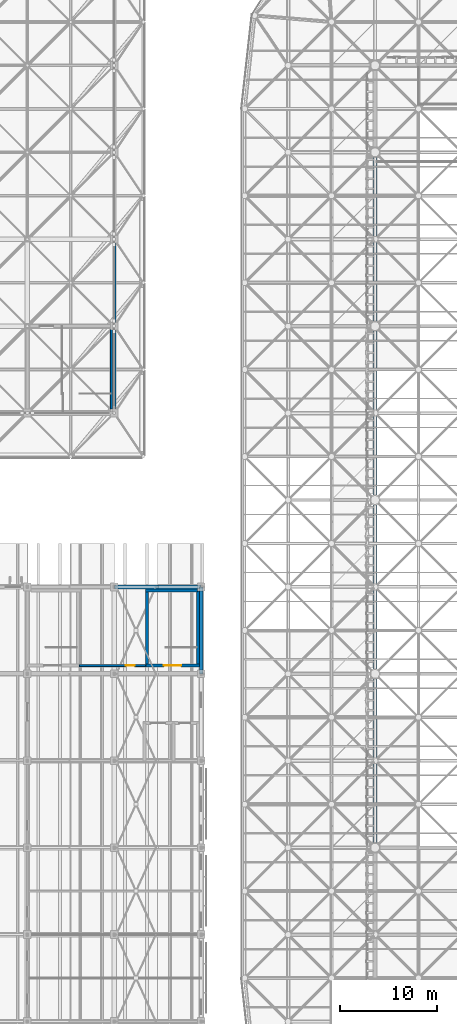
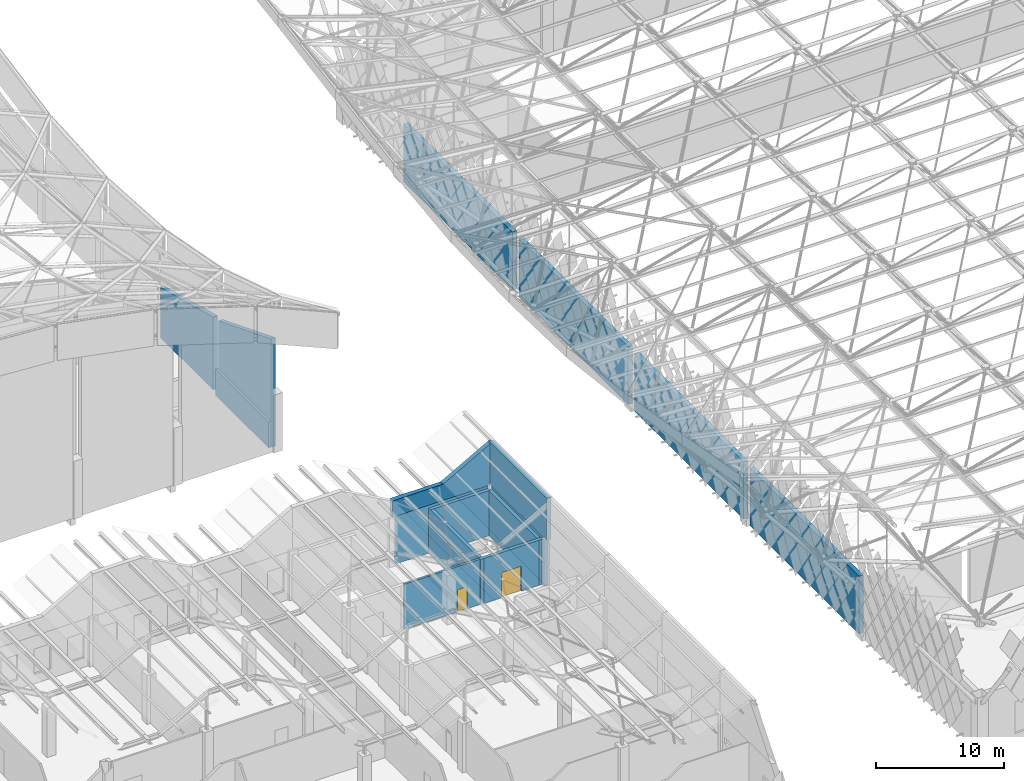
# One storey, part 271 of 437: 16 walls, 2 doors, 2 openings.
"""IFC4 building model written with IfcOpenShell, lengths in metres."""

from ifc_helpers import new_model, si_unit, direction, frame, frame_2d, origin, place, context, subcontext, project, spatial, polyline, rectangle, outline, extrude, material, layer, layer_set, type_object, element, fill, save


model = new_model("IFC4")

# Units and contexts
model_context = context("Model", 3, precision=1e-05, world=origin(), true_north=direction((0.0, 1.0)))
body_context = subcontext(model_context, "Body", "Model", "MODEL_VIEW")
ifc_project = project(units=[si_unit("LENGTHUNIT", "METRE"), si_unit("AREAUNIT", "SQUARE_METRE"), si_unit("VOLUMEUNIT", "CUBIC_METRE"), si_unit("PLANEANGLEUNIT", "RADIAN"), si_unit("MASSUNIT", "GRAM", prefix="KILO")], contexts=[model_context])

# Site, building, storey
site_placement = place(None, origin())
site = spatial("IfcSite", under=ifc_project, at=site_placement, CompositionType="ELEMENT")
building_placement = place(site_placement, origin())
building = spatial("IfcBuilding", under=site, at=building_placement, Name="Opaline Strait Convention Centre", CompositionType="ELEMENT")
storey_placement = place(building_placement, frame((0.0, 0.0, 11.5)))
storey = spatial("IfcBuildingStorey", under=building, at=storey_placement, Name="L02", CompositionType="ELEMENT", Elevation=11.5)

# Walls
ifc_material_1 = material(Name="Concrete C40", Category="concrete")
ifc_layer_1 = layer(ifc_material_1, 0.25)
ifc_material_2 = material(Name="Mineral wool insulation")
ifc_layer_2 = layer(ifc_material_2, 0.10009765625)
ifc_material_3 = material(Name="Gypsum board lining")
ifc_layer_3 = layer(ifc_material_3, 0.050048828125)
ifc_layer_set_1 = layer_set([ifc_layer_1, ifc_layer_2, ifc_layer_3], Name="Concrete C40, Mineral wool insulation, Gypsum board lining")
wall_type_1 = type_object("IfcWallType", Name="External wall RC 400 insulated", PredefinedType="SOLIDWALL", material=ifc_layer_set_1)
for number, where, z_axis, x_axis, name in (
    (1, (99.0, 72.5, 0.0), (0.0, 0.0, 1.0), (0.0, 1.0, 0.0), "External wall W3"),
    (2, (99.0, 90.5, 0.0), (0.0, 0.0, 1.0), (0.0, 1.0, 0.0), "External wall W4"),
    (3, (99.0, 108.5, 0.0), (0.0, 0.0, 1.0), (0.0, 1.0, 0.0), "External wall W5"),
    (4, (99.0, 126.5, 0.0), (0.0, 0.0, 1.0), (0.0, 1.0, 0.0), "External wall W6"),
):
    element("IfcWall", number, at=place(storey_placement, frame(where, z_axis=z_axis, x_axis=x_axis)), inside=storey, type_object=wall_type_1, Name=name, PredefinedType="SOLIDWALL", context=body_context, shape_type="SweptSolid", body=[
        extrude(rectangle(XDim=17.0, YDim=0.39990234375, at=frame_2d((8.5, 0.0))), origin(), (0.0, 0.0, 1.0), 5.5),
    ])

# Wall, opening, door
ifc_material_4 = material(Name="Gypsum board on metal studs with mineral wool")
ifc_layer_4 = layer(ifc_material_4, 0.199951171875)
ifc_layer_set_2 = layer_set([ifc_layer_4], Name="Gypsum board on metal studs with mineral wool")
wall_type_2 = type_object("IfcWallType", Name="Fire partition 200", PredefinedType="PARTITIONING", material=ifc_layer_set_2)
wall_1_placement = place(storey_placement, frame((75.25, 90.85009765625, 0.0), z_axis=(0.0, 0.0, 1.0), x_axis=(-1.0, 0.0, 0.0)))
wall_1 = element("IfcWall", 5, at=wall_1_placement, inside=storey, type_object=wall_type_2, Name="NE core STORE-N wall", PredefinedType="PARTITIONING", context=body_context, shape_type="SweptSolid", body=[
    extrude(rectangle(XDim=6.85009765625, YDim=0.199951171875, at=frame_2d((3.425048828125, 0.0))), origin(), (0.0, 0.0, 1.0), 4.300048828125),
])
opening_1_placement = place(wall_1_placement, frame((1.14990234375, 0.0, 0.0)))
opening_1 = element("IfcOpeningElement", 6, at=opening_1_placement, cuts=wall_1, Name="Opening R2-019", PredefinedType="OPENING", context=body_context, shape_type="SweptSolid", body=[
    extrude(rectangle(XDim=0.89990234375, YDim=2.10009765625, at=frame_2d((0.449951171875, 1.050048828125))), frame((0.0, 0.10986328125, 0.0), z_axis=(0.0, -1.0, 0.0), x_axis=(1.0, 0.0, 0.0)), (0.0, 0.0, 1.0), 0.219970703125),
])
ifc_material_5 = material(Name="Galvanised steel door leaf", Category="steel")
door_type_1 = type_object("IfcDoorType", Name="Services store door 900x2100 FD60", OperationType="SINGLE_SWING_LEFT", PredefinedType="DOOR", material=ifc_material_5)
door_1_placement = place(opening_1_placement, origin())
door_1 = element("IfcDoor", 7, at=door_1_placement, inside=storey, type_object=door_type_1, Name="Services store door NE R2-019", ObjectType="RD8", OperationType="SINGLE_SWING_LEFT", OverallHeight=2.10009765625, OverallWidth=0.89990234375, PredefinedType="DOOR", context=body_context, shape_type="SweptSolid", body=[
    extrude(rectangle(XDim=0.89990234375, YDim=2.10009765625, at=frame_2d((0.449951171875, 1.050048828125))), frame((0.0, 0.02490234375, 0.0), z_axis=(0.0, -1.0, 0.0), x_axis=(1.0, 0.0, 0.0)), (0.0, 0.0, 1.0), 0.050048828125),
])
fill(opening_1, door_1)

# Walls
ifc_layer_5 = layer(ifc_material_1, 0.320068359375)
ifc_layer_6 = layer(ifc_material_2, 0.050048828125)
ifc_layer_7 = layer(ifc_material_3, 0.030029296875)
ifc_layer_set_3 = layer_set([ifc_layer_5, ifc_layer_6, ifc_layer_7], Name="Concrete C40, Mineral wool insulation, Gypsum board lining")
wall_type_3 = type_object("IfcWallType", Name="RC external wall 400 C40", PredefinedType="SOLIDWALL", material=ifc_layer_set_3)
wall_2_placement = place(storey_placement, frame((72.0, 117.39990234375, 0.0), z_axis=(0.0, 0.0, 1.0), x_axis=(0.0, 1.0, 0.0)))
element("IfcWall", 8, at=wall_2_placement, inside=storey, type_object=wall_type_3, Name="PW1 east wall L02 9/P-9/Q", PredefinedType="SOLIDWALL", context=body_context, shape_type="SweptSolid", body=[
    extrude(outline(polyline([(0.0, 0.0), (8.2001953125, 0.0), (8.199951171875, 7.061279296875), (0.0, 10.3134765625), (0.0, 0.0)])), frame((0.0, 0.199951171875, 0.0), z_axis=(0.0, -1.0, 0.0), x_axis=(1.0, 0.0, 0.0)), (0.0, 0.0, 1.0), 0.39990234375),
])
wall_3_placement = place(storey_placement, frame((72.0, 126.39990234375, 0.0), z_axis=(0.0, 0.0, 1.0), x_axis=(0.0, 1.0, 0.0)))
element("IfcWall", 9, at=wall_3_placement, inside=storey, type_object=wall_type_3, Name="PW1 east wall L02 9/Q-9/R", PredefinedType="SOLIDWALL", context=body_context, shape_type="SweptSolid", body=[
    extrude(outline(polyline([(0.0, 0.0), (8.2001953125, 0.0), (8.199951171875, 4.775634765625), (0.0, 6.935546875), (0.0, 0.0)])), frame((0.0, 0.199951171875, 0.0), z_axis=(0.0, -1.0, 0.0), x_axis=(1.0, 0.0, 0.0)), (0.0, 0.0, 1.0), 0.39990234375),
])
ifc_layer_8 = layer(ifc_material_1, 0.199951171875)
ifc_layer_set_4 = layer_set([ifc_layer_8], Name="Concrete C40")
wall_type_4 = type_object("IfcWallType", Name="RC stair lining wall 200 C40", PredefinedType="SOLIDWALL", material=ifc_layer_set_4)
wall_4_placement = place(storey_placement, frame((71.699951171875, 117.39990234375, 0.0), z_axis=(0.0, 0.0, 1.0), x_axis=(0.0, 1.0, 0.0)))
element("IfcWall", 10, at=wall_4_placement, inside=storey, type_object=wall_type_4, Name="PW14 L02 SE stair lining wall", PredefinedType="SOLIDWALL", context=body_context, shape_type="SweptSolid", body=[
    extrude(rectangle(XDim=8.300048828125, YDim=0.199951171875, at=frame_2d((4.14990234375, 0.0))), origin(), (0.0, 0.0, 1.0), 2.5),
])
ifc_layer_9 = layer(ifc_material_1, 0.300048828125)
ifc_layer_set_5 = layer_set([ifc_layer_9], Name="Concrete C40")
wall_type_5 = type_object("IfcWallType", Name="RC wall 300 C40", PredefinedType="SOLIDWALL", material=ifc_layer_set_5)
wall_5_placement = place(storey_placement, frame((80.60009765625, 98.64990234375, 0.0), z_axis=(0.0, 0.0, 1.0), x_axis=(-1.0, 0.0, 0.0)))
element("IfcWall", 11, at=wall_5_placement, inside=storey, type_object=wall_type_5, Name="NE core STA-S wall", PredefinedType="SOLIDWALL", context=body_context, shape_type="SweptSolid", body=[
    extrude(rectangle(XDim=5.35009765625, YDim=0.300048828125, at=frame_2d((2.675048828125, 0.0))), origin(), (0.0, 0.0, 1.0), 4.300048828125),
])

# Wall, opening, door
wall_6_placement = place(storey_placement, frame((80.800048828125, 90.85009765625, 0.0), z_axis=(0.0, 0.0, 1.0), x_axis=(-1.0, 0.0, 0.0)))
wall_6 = element("IfcWall", 12, at=wall_6_placement, inside=storey, type_object=wall_type_5, Name="NE core STA-N wall", PredefinedType="SOLIDWALL", context=body_context, shape_type="SweptSolid", body=[
    extrude(rectangle(XDim=5.550048828125, YDim=0.300048828125, at=frame_2d((2.77490234375, 0.0))), origin(), (0.0, 0.0, 1.0), 4.300048828125),
])
opening_2_placement = place(wall_6_placement, frame((1.875, 0.0, 0.0)))
opening_2 = element("IfcOpeningElement", 13, at=opening_2_placement, cuts=wall_6, Name="Opening R2-017", PredefinedType="OPENING", context=body_context, shape_type="SweptSolid", body=[
    extrude(rectangle(XDim=1.800048828125, YDim=2.39990234375, at=frame_2d((0.89990234375, 1.199951171875))), frame((0.0, 0.159912109375, 0.0), z_axis=(0.0, -1.0, 0.0), x_axis=(1.0, 0.0, 0.0)), (0.0, 0.0, 1.0), 0.320068359375),
])
ifc_material_6 = material(Name="Timber door leaves in steel frame", Category="steel")
door_type_2 = type_object("IfcDoorType", Name="Stair door 1800x2400 double FD60", OperationType="DOUBLE_DOOR_SINGLE_SWING", PredefinedType="DOOR", material=ifc_material_6)
door_2_placement = place(opening_2_placement, origin())
door_2 = element("IfcDoor", 14, at=door_2_placement, inside=storey, type_object=door_type_2, Name="Stair door NEA R2-017", ObjectType="RD7", OperationType="DOUBLE_DOOR_SINGLE_SWING", OverallHeight=2.39990234375, OverallWidth=1.800048828125, PredefinedType="DOOR", context=body_context, shape_type="SweptSolid", body=[
    extrude(rectangle(XDim=1.800048828125, YDim=2.39990234375, at=frame_2d((0.89990234375, 1.199951171875))), frame((0.0, 0.02490234375, 0.0), z_axis=(0.0, -1.0, 0.0), x_axis=(1.0, 0.0, 0.0)), (0.0, 0.0, 1.0), 0.050048828125),
])
fill(opening_2, door_2)

# Walls
wall_7_placement = place(storey_placement, frame((80.64990234375, 98.60009765625, 0.0), z_axis=(0.0, 0.0, 1.0), x_axis=(0.0, -1.0, 0.0)))
element("IfcWall", 15, at=wall_7_placement, inside=storey, type_object=wall_type_5, Name="NE core STA-W wall", PredefinedType="SOLIDWALL", context=body_context, shape_type="SweptSolid", body=[
    extrude(rectangle(XDim=7.900146484375, YDim=0.300048828125, at=frame_2d((3.9501953125, 0.0))), origin(), (0.0, 0.0, 1.0), 4.300048828125),
])
wall_8_placement = place(storey_placement, frame((75.39990234375, 98.800048828125, 0.0), z_axis=(0.0, 0.0, 1.0), x_axis=(0.0, -1.0, 0.0)))
element("IfcWall", 16, at=wall_8_placement, inside=storey, type_object=wall_type_5, Name="NE core STA-E wall", PredefinedType="SOLIDWALL", context=body_context, shape_type="SweptSolid", body=[
    extrude(rectangle(XDim=8.10009765625, YDim=0.300048828125, at=frame_2d((4.050048828125, 0.0))), origin(), (0.0, 0.0, 1.0), 4.300048828125),
])
ifc_layer_10 = layer(ifc_material_1, 0.320068359375)
ifc_layer_11 = layer(ifc_material_2, 0.050048828125)
ifc_layer_12 = layer(ifc_material_3, 0.030029296875)
ifc_layer_set_6 = layer_set([ifc_layer_10, ifc_layer_11, ifc_layer_12], Name="Concrete C40, Mineral wool insulation, Gypsum board lining")
wall_type_6 = type_object("IfcWallType", Name="RC wall 400 C40", PredefinedType="SOLIDWALL", material=ifc_layer_set_6)
wall_9_placement = place(storey_placement, frame((72.0, 99.0, 4.550048828125), z_axis=(0.0, 0.0, 1.0), x_axis=(1.0, 0.0, 0.0)))
element("IfcWall", 17, at=wall_9_placement, inside=storey, type_object=wall_type_6, Name="N roof infill wall 8", PredefinedType="SOLIDWALL", context=body_context, shape_type="SweptSolid", body=[
    extrude(outline(polyline([(0.0, 0.0), (9.0, 0.0), (9.0, 4.0283203125), (4.538818359375, 1.550048828125), (0.0, 1.550048828125), (0.0, 0.0)])), frame((0.0, 0.199951171875, 0.0), z_axis=(0.0, -1.0, 0.0), x_axis=(1.0, 0.0, 0.0)), (0.0, 0.0, 1.0), 0.39990234375),
])
wall_10_placement = place(storey_placement, frame((81.0, 90.0, 4.550048828125), z_axis=(0.0, 0.0, 1.0), x_axis=(0.0, 1.0, 0.0)))
element("IfcWall", 18, at=wall_10_placement, inside=storey, type_object=wall_type_6, Name="E roof infill wall 10", PredefinedType="SOLIDWALL", context=body_context, shape_type="SweptSolid", body=[
    extrude(rectangle(XDim=9.0, YDim=0.39990234375, at=frame_2d((4.5, 0.0))), origin(), (0.0, 0.0, 1.0), 4.0283203125),
])
for number, where, z_axis, x_axis, name in (
    (19, (72.39990234375, 99.0, 0.0), (0.0, 0.0, 1.0), (1.0, 0.0, 0.0), "L02 N external wall 8"),
    (20, (81.0, 90.39990234375, 0.0), (0.0, 0.0, 1.0), (0.0, 1.0, 0.0), "L02 E external wall 10"),
):
    element("IfcWall", number, at=place(storey_placement, frame(where, z_axis=z_axis, x_axis=x_axis)), inside=storey, type_object=wall_type_6, Name=name, PredefinedType="SOLIDWALL", context=body_context, shape_type="SweptSolid", body=[
        extrude(rectangle(XDim=8.2001953125, YDim=0.39990234375, at=frame_2d((4.10009765625, 0.0))), origin(), (0.0, 0.0, 1.0), 4.550048828125),
    ])

save(model, "model.ifc")
